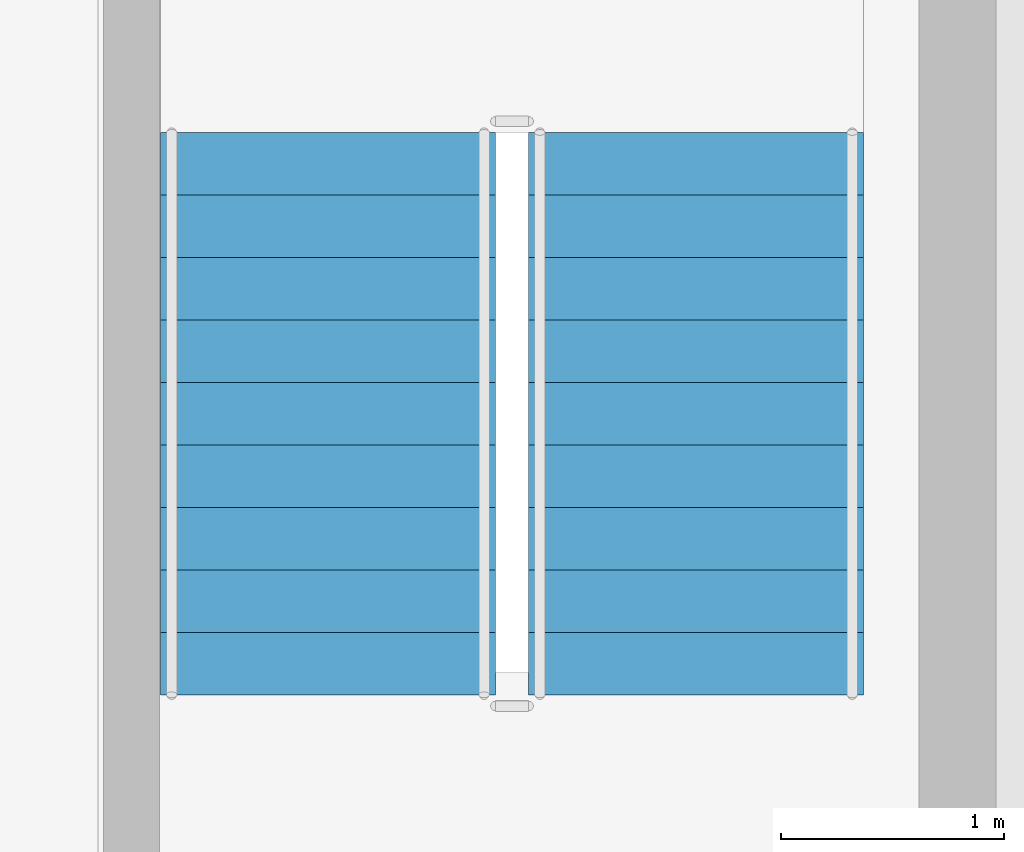
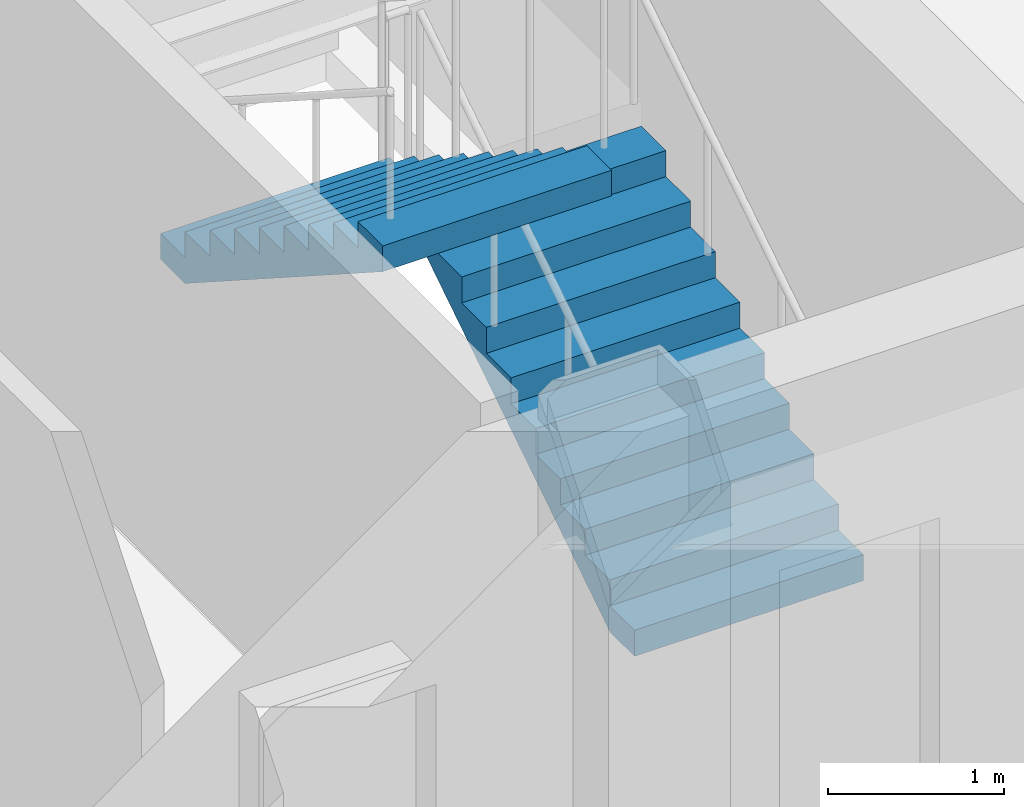
# One storey, part 12 of 17: 2 stair flights, 1 element without a shape of its own.
"""IFC4 building model written with IfcOpenShell, lengths in metres."""

from ifc_helpers import new_model, si_unit, direction, frame, origin, place, context, subcontext, project, spatial, polyline, outline, extrude, material, type_object, element, aggregate, save


model = new_model("IFC4")

# Units and contexts
model_context = context("Model", 3, precision=1e-05, world=origin(), true_north=direction((0.0, 1.0)))
body_context = subcontext(model_context, "Body", "Model", "MODEL_VIEW")
ifc_project = project(units=[si_unit("LENGTHUNIT", "METRE"), si_unit("AREAUNIT", "SQUARE_METRE"), si_unit("VOLUMEUNIT", "CUBIC_METRE"), si_unit("PLANEANGLEUNIT", "RADIAN"), si_unit("MASSUNIT", "GRAM", prefix="KILO")], contexts=[model_context])

# Site, building, storey
site_placement = place(None, origin())
site = spatial("IfcSite", under=ifc_project, at=site_placement, CompositionType="ELEMENT")
building_placement = place(site_placement, origin())
building = spatial("IfcBuilding", under=site, at=building_placement, Name="Trevonay Congress Spire", CompositionType="ELEMENT")
storey_placement = place(building_placement, frame((0.0, 0.0, 264.800048828125)))
storey = spatial("IfcBuildingStorey", under=building, at=storey_placement, Name="L69", CompositionType="ELEMENT", Elevation=264.800048828125)

# Stair, stair flights
ifc_material = material(Name="Concrete C40/50", Category="concrete")
stair_type = type_object("IfcStairType", Name="STR-ST-2", PredefinedType="HALF_TURN_STAIR", material=ifc_material)
stair_placement = place(storey_placement, origin())
stair = element("IfcStair", 1, at=stair_placement, inside=storey, type_object=stair_type, Name="L69 Protected Exit Stair ST-2", PredefinedType="HALF_TURN_STAIR")
stair_flight_type = type_object("IfcStairFlightType", Name="SFL-ST-2", PredefinedType="STRAIGHT", material=ifc_material)
stair_flight_1_placement = place(storey_placement, frame((6.0, -5.25, 0.0), z_axis=(0.0, 0.0, 1.0), x_axis=(0.0, 1.0, 0.0)))
stair_flight_1 = element("IfcStairFlight", 2, at=stair_flight_1_placement, type_object=stair_flight_type, Name="ST-2 flight 1", NumberOfRisers=10, NumberOfTreads=9, PredefinedType="STRAIGHT", RiserHeight=0.18, TreadLength=0.28, context=body_context, shape_type="SweptSolid", body=[
    extrude(outline(polyline([(0.0, 0.0), (0.0, 0.179931640625), (0.280029296875, 0.179931640625), (0.280029296875, 0.360107421875), (0.56005859375, 0.360107421875), (0.56005859375, 0.5400390625), (0.840087890625, 0.5400390625), (0.840087890625, 0.719970703125), (1.1201171875, 0.719970703125), (1.1201171875, 0.89990234375), (1.39990234375, 0.89990234375), (1.39990234375, 1.080078125), (1.679931640625, 1.080078125), (1.679931640625, 1.260009765625), (1.9599609375, 1.260009765625), (1.9599609375, 1.43994140625), (2.239990234375, 1.43994140625), (2.239990234375, 1.6201171875), (2.52001953125, 1.6201171875), (2.52001953125, 1.800048828125), (2.52001953125, 1.44189453125), (0.277099609375, 0.0), (0.0, 0.0)])), frame((0.0, 0.75, 0.0), z_axis=(0.0, -1.0, 0.0), x_axis=(1.0, 0.0, 0.0)), (0.0, 0.0, 1.0), 1.5),
])
stair_flight_2_placement = place(storey_placement, frame((4.35009765625, -2.72998046875, 1.800048828125), z_axis=(0.0, 0.0, 1.0), x_axis=(0.0, -1.0, 0.0)))
stair_flight_2 = element("IfcStairFlight", 3, at=stair_flight_2_placement, type_object=stair_flight_type, Name="ST-2 flight 2", NumberOfRisers=10, NumberOfTreads=9, PredefinedType="STRAIGHT", RiserHeight=0.18, TreadLength=0.28, context=body_context, shape_type="SweptSolid", body=[
    extrude(outline(polyline([(0.0, 0.0), (0.0, 0.179931640625), (0.280029296875, 0.179931640625), (0.280029296875, 0.360107421875), (0.56005859375, 0.360107421875), (0.56005859375, 0.5400390625), (0.840087890625, 0.5400390625), (0.840087890625, 0.719970703125), (1.1201171875, 0.719970703125), (1.1201171875, 0.89990234375), (1.39990234375, 0.89990234375), (1.39990234375, 1.080078125), (1.679931640625, 1.080078125), (1.679931640625, 1.260009765625), (1.9599609375, 1.260009765625), (1.9599609375, 1.43994140625), (2.239990234375, 1.43994140625), (2.239990234375, 1.6201171875), (2.52001953125, 1.6201171875), (2.52001953125, 1.800048828125), (2.52001953125, 1.44189453125), (0.277099609375, 0.0), (0.0, 0.0)])), frame((0.0, 0.75, 0.0), z_axis=(0.0, -1.0, 0.0), x_axis=(1.0, 0.0, 0.0)), (0.0, 0.0, 1.0), 1.5),
])
aggregate(stair, [stair_flight_1, stair_flight_2])

save(model, "model.ifc")
